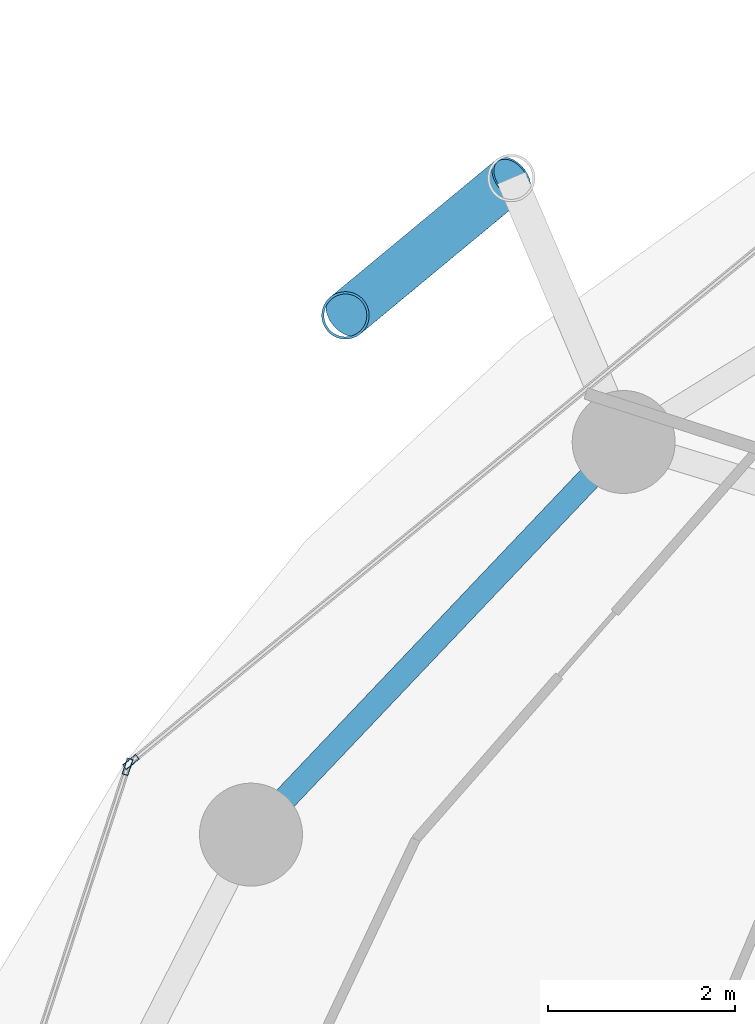
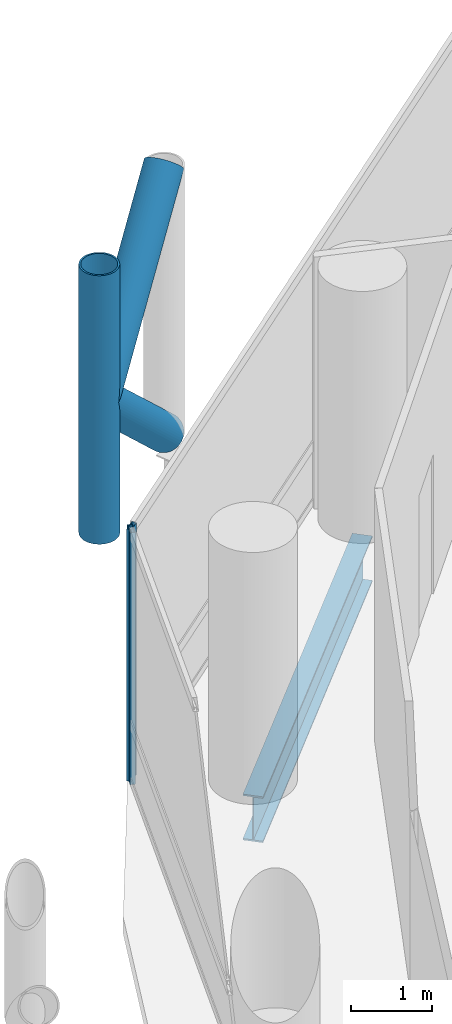
# One storey, part 13 of 26: 5 members, 1 beam, 2 elements without a shape of their own.
"""IFC4 building model written with IfcOpenShell, lengths in metres."""

import ifcopenshell
import ifcopenshell.guid

model = None  # the IFC model being written
_history = None  # IfcOwnerHistory: only IFC2X3 demands one
_inside = {}  # id of a spatial element -> (the spatial element, [elements in it])
_under = {}  # id of a project, library or spatial element -> (it, [spatial elements below it])
_declared = {}  # id of a project -> (the project, [libraries it declares])
_typed = {}  # id of a type object -> (the type object, [elements of that type])
_made_of = {}  # id of a material, layer set ... -> (it, [elements and type objects made of it])


def new_model(schema):
    """Start an empty IFC model of exactly this schema.

    Asked for "IFC4X3", IfcOpenShell would pick the latest addendum, in which some entities
    have other attributes; the version numbers below select the first issue.
    IFC2X3 requires an IfcOwnerHistory on every rooted entity: one is made here for all.
    """
    global model, _history
    if schema == "IFC4X3":
        model = ifcopenshell.file(schema_version=(4, 3, 0, 0))
    else:
        model = ifcopenshell.file(schema=schema)
    _inside.clear()
    _under.clear()
    _declared.clear()
    _typed.clear()
    _made_of.clear()
    _history = None
    if model.schema == "IFC2X3":
        org = make("IfcOrganization", Name="unknown")
        user = make(
            "IfcPersonAndOrganization",
            ThePerson=make("IfcPerson", FamilyName="unknown"),
            TheOrganization=org,
        )
        app = make(
            "IfcApplication",
            ApplicationDeveloper=org,
            Version="unknown",
            ApplicationFullName="unknown",
            ApplicationIdentifier="unknown",
        )
        _history = make(
            "IfcOwnerHistory",
            OwningUser=user,
            OwningApplication=app,
            ChangeAction="ADDED",
            CreationDate=0,
        )
    return model


def make(cls, **values):
    """One entity of the class cls with the attributes given. An attribute that is None is left unset."""
    return model.create_entity(
        cls, **{name: value for name, value in values.items() if value is not None}
    )


def rooted(cls, **values):
    """An entity with a GlobalId (a new one), such as an element, a storey or a relation."""
    return make(cls, GlobalId=ifcopenshell.guid.new(), OwnerHistory=_history, **values)


def si_unit(unit_type, name, prefix=None):
    """IfcSIUnit, for example si_unit("LENGTHUNIT", "METRE", prefix="MILLI")."""
    return make("IfcSIUnit", UnitType=unit_type, Prefix=prefix, Name=name)


def assignment(units):
    """IfcUnitAssignment: the units of a project."""
    return None if units is None else make("IfcUnitAssignment", Units=units)


def point(xyz):
    """IfcCartesianPoint."""
    return None if xyz is None else make("IfcCartesianPoint", Coordinates=xyz)


def direction(xyz):
    """IfcDirection."""
    return None if xyz is None else make("IfcDirection", DirectionRatios=xyz)


def frame(location, z_axis=None, x_axis=None):
    """IfcAxis2Placement3D, a coordinate frame: its origin and axes. An axis left out is left unset."""
    return make(
        "IfcAxis2Placement3D",
        Location=point(location),
        Axis=direction(z_axis),
        RefDirection=direction(x_axis),
    )


def frame_2d(location, x_axis=None):
    """IfcAxis2Placement2D, a coordinate frame in the plane: its origin and x axis."""
    return make(
        "IfcAxis2Placement2D", Location=point(location), RefDirection=direction(x_axis)
    )


def origin():
    """The frame at (0, 0, 0) with its axes left unset."""
    return frame((0.0, 0.0, 0.0))


def origin_2d():
    """The frame at (0, 0) in the plane with its x axis left unset."""
    return frame_2d((0.0, 0.0))


def place(relative_to, where):
    """IfcLocalPlacement: puts the frame where relative to a parent placement (None: the world)."""
    return make(
        "IfcLocalPlacement", PlacementRelTo=relative_to, RelativePlacement=where
    )


def context(
    kind, dimensions, precision=None, world=None, true_north=None, identifier=None
):
    """IfcGeometricRepresentationContext, for example the 3D "Model" context."""
    return make(
        "IfcGeometricRepresentationContext",
        ContextIdentifier=identifier,
        ContextType=kind,
        CoordinateSpaceDimension=dimensions,
        Precision=precision,
        WorldCoordinateSystem=world,
        TrueNorth=true_north,
    )


def subcontext(parent, identifier, kind, view, scale=None):
    """IfcGeometricRepresentationSubContext, for example "Body" below "Model"."""
    return make(
        "IfcGeometricRepresentationSubContext",
        ContextIdentifier=identifier,
        ContextType=kind,
        ParentContext=parent,
        TargetScale=scale,
        TargetView=view,
    )


def project(units=None, contexts=None):
    """IfcProject with its units and contexts."""
    return rooted(
        "IfcProject",
        Name="project",
        RepresentationContexts=contexts,
        UnitsInContext=assignment(units),
    )


def spatial(cls, under=None, at=None, **own):
    """A site, building, storey or space (cls), placed at a placement, below another one or the project."""
    s = rooted(cls, ObjectPlacement=at, **own)
    if under is not None:
        _under.setdefault(under.id(), (under, []))[1].append(s)
    return s


def profile(cls, at=None, kind="AREA", **sizes):
    """A parametric profile (cls). Its sizes go by their IFC names, for example OverallWidth=200.0."""
    return make(cls, ProfileType=kind, Position=at, **sizes)


def hollow_rectangle(**sizes):
    """IfcRectangleHollowProfileDef."""
    return profile("IfcRectangleHollowProfileDef", **sizes)


def hollow_circle(**sizes):
    """IfcCircleHollowProfileDef."""
    return profile("IfcCircleHollowProfileDef", **sizes)


def i_section(**sizes):
    """IfcIShapeProfileDef."""
    return profile("IfcIShapeProfileDef", **sizes)


def extrude(swept, where, along, depth):
    """IfcExtrudedAreaSolid: the profile swept, set in the frame where, extruded along a direction by depth."""
    return make(
        "IfcExtrudedAreaSolid",
        SweptArea=swept,
        Position=where,
        ExtrudedDirection=direction(along),
        Depth=depth,
    )


def shape(context_of_items, identifier, shape_type, items):
    """IfcShapeRepresentation: the items that make up one representation, for example the "Body"."""
    return make(
        "IfcShapeRepresentation",
        ContextOfItems=context_of_items,
        RepresentationIdentifier=identifier,
        RepresentationType=shape_type,
        Items=items,
    )


def material(Name=None, Category=None):
    """IfcMaterial."""
    return make("IfcMaterial", Name=Name, Category=Category)


def layer(
    of_material, thickness, ventilated=None, Name=None, Category=None, Priority=None
):
    """IfcMaterialLayer: one layer of a wall or slab, of a material (None: an air gap)."""
    return make(
        "IfcMaterialLayer",
        Material=of_material,
        LayerThickness=thickness,
        IsVentilated=ventilated,
        Name=Name,
        Category=Category,
        Priority=Priority,
    )


def layer_set(layers, Name=None):
    """IfcMaterialLayerSet."""
    return make("IfcMaterialLayerSet", MaterialLayers=layers, LayerSetName=Name)


def material_profile(
    of_material, cross_section, Name=None, Category=None, Priority=None
):
    """IfcMaterialProfile: a cross section and its material."""
    return make(
        "IfcMaterialProfile",
        Name=Name,
        Material=of_material,
        Profile=cross_section,
        Priority=Priority,
        Category=Category,
    )


def profile_set(profiles, Name=None, composite=None):
    """IfcMaterialProfileSet."""
    return make(
        "IfcMaterialProfileSet",
        Name=Name,
        MaterialProfiles=profiles,
        CompositeProfile=composite,
    )


def made_of(thing, what):
    """Note that an element or type object is made of a material, layer set ...; save() writes the relation."""
    if what is not None:
        _made_of.setdefault(what.id(), (what, []))[1].append(thing)
    return thing


def type_object(cls, material=None, **own):
    """A type object (cls), such as IfcWallType, which elements share."""
    return made_of(rooted(cls, **own), material)


def element(
    cls,
    number,
    at=None,
    inside=None,
    cuts=None,
    type_object=None,
    material=None,
    context=None,
    identifier="Body",
    shape_type=None,
    held_by="IfcProductDefinitionShape",
    body=None,
    shapes=None,
    **own,
):
    """One element of the class cls, such as IfcWall. Its Tag is "e" and its number.

    at: its placement. inside: the storey or other place that contains it. cuts: it is an
    opening in that element (IfcRelVoidsElement). A single representation is given by context,
    identifier, shape_type and body (its items); several are given by shapes. held_by: the class
    of the entity that holds the representations. save() writes the other relations.
    """
    e = rooted(cls, Tag="e%d" % number, ObjectPlacement=at, **own)
    if body is not None:
        shapes = [shape(context, identifier, shape_type, body)]
    if shapes is not None:
        e.Representation = make(held_by, Representations=shapes)
    if inside is not None:
        _inside.setdefault(inside.id(), (inside, []))[1].append(e)
    if cuts is not None:
        rooted(
            "IfcRelVoidsElement", RelatingBuildingElement=cuts, RelatedOpeningElement=e
        )
    if type_object is not None:
        _typed.setdefault(type_object.id(), (type_object, []))[1].append(e)
    return made_of(e, material)


def aggregate(whole, parts):
    """IfcRelAggregates: a whole, such as a stair, and the parts it consists of."""
    return rooted("IfcRelAggregates", RelatingObject=whole, RelatedObjects=parts)


def save(model, path):
    """Write the relations noted so far, then the file.

    IfcRelAggregates (storeys below a building ...), IfcRelContainedInSpatialStructure (elements
    in a storey), IfcRelDefinesByType, IfcRelAssociatesMaterial and IfcRelDeclares: one each for
    every whole, place, type object, material and project.
    """
    for whole, parts in _under.values():
        aggregate(whole, parts)
    for where, things in _inside.values():
        rooted(
            "IfcRelContainedInSpatialStructure",
            RelatedElements=things,
            RelatingStructure=where,
        )
    for kind, things in _typed.values():
        rooted("IfcRelDefinesByType", RelatedObjects=things, RelatingType=kind)
    for what, things in _made_of.values():
        rooted("IfcRelAssociatesMaterial", RelatedObjects=things, RelatingMaterial=what)
    for by, libraries in _declared.values():
        rooted("IfcRelDeclares", RelatingContext=by, RelatedDefinitions=libraries)
    model.write(path)


model = new_model("IFC4")

# Units and contexts
model_context = context("Model", 3, precision=1e-05, world=origin(), true_north=direction((0.0, 1.0)))
body_context = subcontext(model_context, "Body", "Model", "MODEL_VIEW")
ifc_project = project(units=[si_unit("LENGTHUNIT", "METRE"), si_unit("AREAUNIT", "SQUARE_METRE"), si_unit("VOLUMEUNIT", "CUBIC_METRE"), si_unit("PLANEANGLEUNIT", "RADIAN"), si_unit("MASSUNIT", "GRAM", prefix="KILO")], contexts=[model_context])

# Site, building, storey
site_placement = place(None, origin())
site = spatial("IfcSite", under=ifc_project, at=site_placement, CompositionType="ELEMENT")
building_placement = place(site_placement, origin())
building = spatial("IfcBuilding", under=site, at=building_placement, Name="Nuhasar Tower", CompositionType="ELEMENT")
storey_placement = place(building_placement, frame((0.0, 0.0, 97.949951171875)))
storey = spatial("IfcBuildingStorey", under=building, at=storey_placement, Name="L23", CompositionType="ELEMENT", Elevation=97.949951171875)

# Beam
ifc_material_1 = material(Name="Steel S355", Category="steel")
ifc_material_profile_1 = material_profile(ifc_material_1, i_section(OverallWidth=0.256103515625, OverallDepth=0.693115234375, WebThickness=0.014404296875, FlangeThickness=0.023681640625, at=origin_2d()), Name="W27X114")
ifc_profile_set_1 = profile_set([ifc_material_profile_1], Name="Steel S355")
beam_type = type_object("IfcBeamType", Name="BM-RING-W27X114", PredefinedType="SPANDREL", material=ifc_profile_set_1)
beam_placement = place(storey_placement, frame((21.287109375, 41.118896484375, -0.596923828125), z_axis=(-0.688480893507, -0.725254478976, 0.0), x_axis=(0.725254478976, -0.688480893507, 0.0)))
element("IfcBeam", 1, at=beam_placement, inside=storey, type_object=beam_type, Name="L23 Perimeter Ring Spandrel 10", PredefinedType="SPANDREL", context=body_context, shape_type="SweptSolid", body=[
    extrude(i_section(OverallWidth=0.256103515625, OverallDepth=0.693115234375, WebThickness=0.014404296875, FlangeThickness=0.023681640625, at=origin_2d()), origin(), (0.0, 0.0, 1.0), 5.782470703125),
])

# Curtain wall, member
ifc_material_2 = material(Name="Aluminium 6063-T6", Category="aluminium")
ifc_layer = layer(ifc_material_2, 0.199951171875)
ifc_layer_set = layer_set([ifc_layer], Name="Aluminium 6063-T6")
curtain_wall_type = type_object("IfcCurtainWallType", Name="CW-Z1-OFF", PredefinedType="NOTDEFINED", material=ifc_layer_set)
curtain_wall_1_placement = place(storey_placement, origin())
curtain_wall_1 = element("IfcCurtainWall", 2, at=curtain_wall_1_placement, inside=storey, type_object=curtain_wall_type, Name="L23 Unitised Curtain Wall 05", PredefinedType="NOTDEFINED")
ifc_material_profile_2 = material_profile(ifc_material_2, hollow_rectangle(XDim=0.06494140625, YDim=0.179931640625, WallThickness=0.0048828125, at=origin_2d()), Name="CWM-2")
ifc_profile_set_2 = profile_set([ifc_material_profile_2], Name="Aluminium 6063-T6")
member_type_1 = type_object("IfcMemberType", Name="CW-MUL-S2", PredefinedType="MULLION", material=ifc_profile_set_2)
member_1_placement = place(storey_placement, frame((16.023193359375, 37.70068359375, 0.0), z_axis=(0.0, 0.0, 1.0), x_axis=(0.633744593376, -0.773542364946, 0.0)))
member_1 = element("IfcMember", 3, at=member_1_placement, type_object=member_type_1, Name="CW-Z1 mullion 2", PredefinedType="MULLION", context=body_context, shape_type="SweptSolid", body=[
    extrude(hollow_rectangle(XDim=0.06494140625, YDim=0.179931640625, WallThickness=0.0048828125, at=origin_2d()), origin(), (0.0, 0.0, 1.0), 3.800048828125),
])
aggregate(curtain_wall_1, [member_1])

curtain_wall_2_placement = place(storey_placement, origin())
curtain_wall_2 = element("IfcCurtainWall", 4, at=curtain_wall_2_placement, inside=storey, type_object=curtain_wall_type, Name="L23 Unitised Curtain Wall 06", PredefinedType="NOTDEFINED")
member_2_placement = place(storey_placement, frame((15.98779296875, 37.649169921875, 0.0), z_axis=(0.0, 0.0, 1.0), x_axis=(0.950467534571, -0.310823849997, 0.0)))
member_2 = element("IfcMember", 5, at=member_2_placement, type_object=member_type_1, Name="CW-Z1 mullion 1", PredefinedType="MULLION", context=body_context, shape_type="SweptSolid", body=[
    extrude(hollow_rectangle(XDim=0.06494140625, YDim=0.179931640625, WallThickness=0.0048828125, at=origin_2d()), origin(), (0.0, 0.0, 1.0), 3.800048828125),
])
aggregate(curtain_wall_2, [member_2])

# Members
ifc_material_3 = material(Name="Steel S460", Category="steel")
ifc_material_profile_3 = material_profile(ifc_material_3, hollow_circle(Radius=0.25390625, WallThickness=0.025390625, at=origin_2d()), Name="HSS508X25.4")
ifc_profile_set_3 = profile_set([ifc_material_profile_3], Name="Steel S460")
member_type_2 = type_object("IfcMemberType", Name="EXO-BRONZE-508", PredefinedType="BRACE", material=ifc_profile_set_3)
member_3_placement = place(storey_placement, frame((18.31494140625, 42.470947265625, 0.0), z_axis=(0.0, 0.0, 1.0), x_axis=(1.0, 0.0, 0.0)))
element("IfcMember", 6, at=member_3_placement, inside=storey, type_object=member_type_2, Name="L23 Exoskeleton Chord Column EC-05B", PredefinedType="BRACE", context=body_context, shape_type="SweptSolid", body=[
    extrude(hollow_circle(Radius=0.25390625, WallThickness=0.025390625, at=origin_2d()), origin(), (0.0, 0.0, 1.0), 4.050048828125),
])
member_4_placement = place(storey_placement, frame((20.0869140625, 43.93896484375, 0.0), z_axis=(-0.578071194894, -0.478911834514, 0.660664172175), x_axis=(0.637969333506, -0.770061769929, 0.0)))
element("IfcMember", 7, at=member_4_placement, inside=storey, type_object=member_type_2, Name="L23 Bronze Diagrid Brace W1-05", PredefinedType="BRACE", context=body_context, shape_type="SweptSolid", body=[
    extrude(hollow_circle(Radius=0.25390625, WallThickness=0.025390625, at=origin_2d()), origin(), (0.0, 0.0, 1.0), 3.0654296875),
])
member_5_placement = place(storey_placement, frame((18.31494140625, 42.470947265625, 2.025146484375), z_axis=(0.578101613167, 0.478937034992, 0.660619286251), x_axis=(-0.637969333506, 0.770061769929, 0.0)))
element("IfcMember", 8, at=member_5_placement, inside=storey, type_object=member_type_2, Name="L23 Bronze Diagrid Brace W2-05", PredefinedType="BRACE", context=body_context, shape_type="SweptSolid", body=[
    extrude(hollow_circle(Radius=0.25390625, WallThickness=0.025390625, at=origin_2d()), origin(), (0.0, 0.0, 1.0), 3.065185546875),
])

save(model, "model.ifc")
